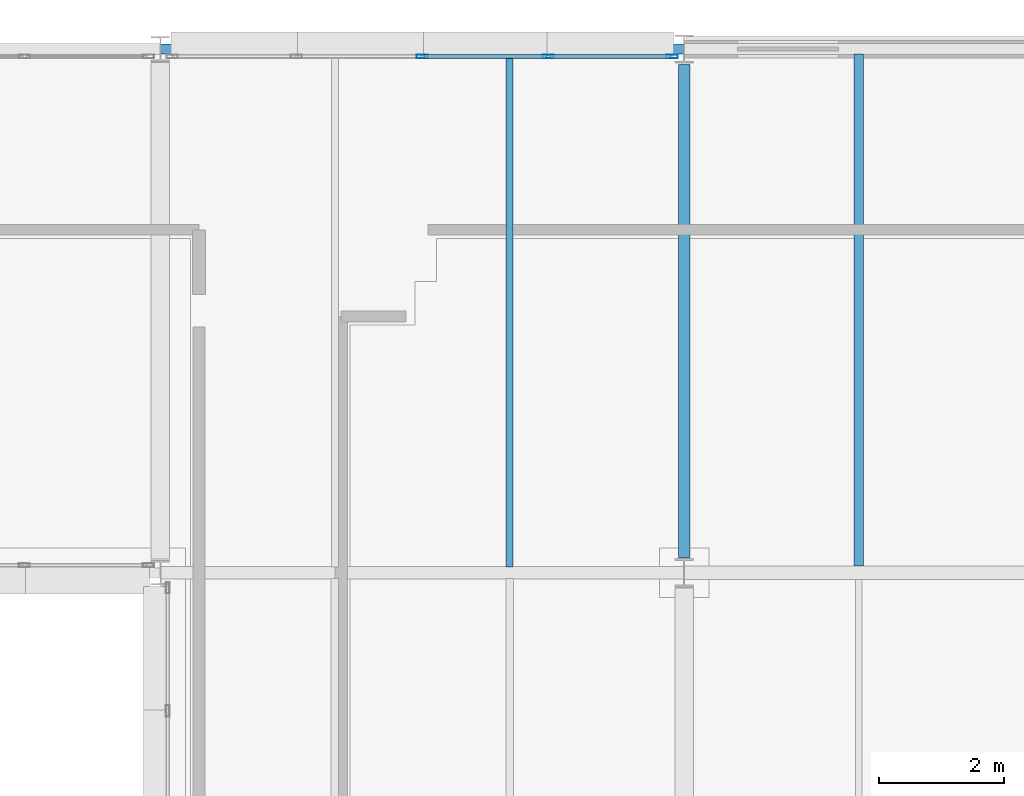
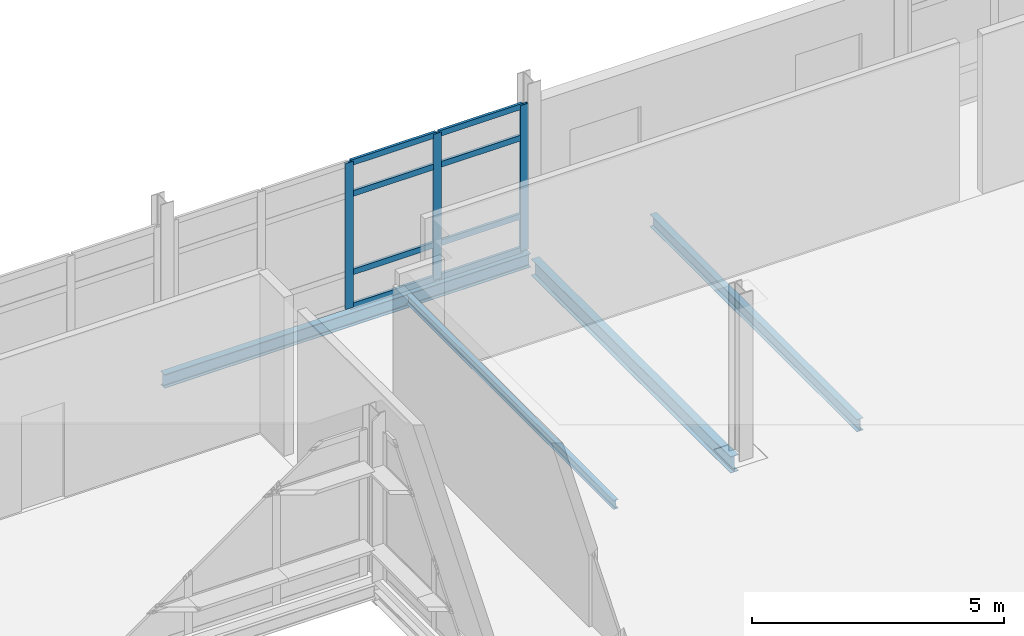
# One storey, part 54 of 103: 11 members, 4 beams, 1 element without a shape of its own.
"""IFC4 building model written with IfcOpenShell, lengths in metres."""

from ifc_helpers import new_model, si_unit, direction, frame, origin, origin_2d, place, context, subcontext, project, spatial, hollow_rectangle, i_section, extrude, material, material_profile, profile_set, type_object, element, aggregate, save


model = new_model("IFC4")

# Units and contexts
model_context = context("Model", 3, precision=1e-05, world=origin(), true_north=direction((0.0, 1.0)))
body_context = subcontext(model_context, "Body", "Model", "MODEL_VIEW")
ifc_project = project(units=[si_unit("LENGTHUNIT", "METRE"), si_unit("AREAUNIT", "SQUARE_METRE"), si_unit("VOLUMEUNIT", "CUBIC_METRE"), si_unit("PLANEANGLEUNIT", "RADIAN"), si_unit("MASSUNIT", "GRAM", prefix="KILO")], contexts=[model_context])

# Site, building, storey
site_placement = place(None, origin())
site = spatial("IfcSite", under=ifc_project, at=site_placement, CompositionType="ELEMENT")
building_placement = place(site_placement, origin())
building = spatial("IfcBuilding", under=site, at=building_placement, Name="Mersafa Astral City Hall", CompositionType="ELEMENT")
storey_placement = place(building_placement, frame((0.0, 0.0, 18.0)))
storey = spatial("IfcBuildingStorey", under=building, at=storey_placement, Name="L04", CompositionType="ELEMENT", Elevation=18.0)

# Curtain wall, members
ifc_material_1 = material(Name="Anodised bronze aluminium framing", Category="aluminium")
curtain_wall_type = type_object("IfcCurtainWallType", Name="ENV-CW-4", PredefinedType="USERDEFINED", material=ifc_material_1)
curtain_wall_placement = place(storey_placement, origin())
curtain_wall = element("IfcCurtainWall", 1, at=curtain_wall_placement, inside=storey, type_object=curtain_wall_type, Name="L04 Unitised solar curtain wall 195", ObjectType="UNITISED CURTAIN WALL", PredefinedType="USERDEFINED")
ifc_material_profile_1 = material_profile(ifc_material_1, hollow_rectangle(XDim=0.06005859375, YDim=0.179931640625, WallThickness=0.00390625, at=origin_2d()), Name="RHS 60x180x4")
ifc_profile_set_1 = profile_set([ifc_material_profile_1], Name="Anodised bronze aluminium framing")
member_type_1 = type_object("IfcMemberType", Name="ENV-CW-MUL-1", PredefinedType="MULLION", material=ifc_profile_set_1)
member_1_placement = place(storey_placement, frame((109.008056640625, 125.8798828125, -0.001953125), z_axis=(0.0, 0.0, 1.0), x_axis=(0.0, -1.0, 0.0)))
member_1 = element("IfcMember", 2, at=member_1_placement, type_object=member_type_1, Name="CW-4 mullion 1", PredefinedType="MULLION", context=body_context, shape_type="SweptSolid", body=[
    extrude(hollow_rectangle(XDim=0.06005859375, YDim=0.179931640625, WallThickness=0.00390625, at=origin_2d()), origin(), (0.0, 0.0, 1.0), 3.5390625),
])
member_2_placement = place(storey_placement, frame((107.01904296875, 125.8798828125, -0.001953125), z_axis=(0.0, 0.0, 1.0), x_axis=(0.0, -1.0, 0.0)))
member_2 = element("IfcMember", 3, at=member_2_placement, type_object=member_type_1, Name="CW-4 mullion 2", PredefinedType="MULLION", context=body_context, shape_type="SweptSolid", body=[
    extrude(hollow_rectangle(XDim=0.06005859375, YDim=0.179931640625, WallThickness=0.00390625, at=origin_2d()), origin(), (0.0, 0.0, 1.0), 3.5390625),
])
member_3_placement = place(storey_placement, frame((105.0, 125.8798828125, -0.001953125), z_axis=(0.0, 0.0, 1.0), x_axis=(0.0, -1.0, 0.0)))
member_3 = element("IfcMember", 4, at=member_3_placement, type_object=member_type_1, Name="CW-4 mullion 3", PredefinedType="MULLION", context=body_context, shape_type="SweptSolid", body=[
    extrude(hollow_rectangle(XDim=0.06005859375, YDim=0.179931640625, WallThickness=0.00390625, at=origin_2d()), origin(), (0.0, 0.0, 1.0), 3.5390625),
])
ifc_material_profile_2 = material_profile(ifc_material_1, hollow_rectangle(XDim=0.06005859375, YDim=0.139892578125, WallThickness=0.00390625, at=origin_2d()), Name="RHS 60x140x4")
ifc_profile_set_2 = profile_set([ifc_material_profile_2], Name="Anodised bronze aluminium framing")
member_type_2 = type_object("IfcMemberType", Name="ENV-CW-TRN-1", PredefinedType="USERDEFINED", material=ifc_profile_set_2)
member_4_placement = place(storey_placement, frame((108.97802734375, 125.8798828125, 0.028076171875), z_axis=(-1.0, 0.0, 0.0), x_axis=(0.0, -1.0, 0.0)))
member_4 = element("IfcMember", 5, at=member_4_placement, type_object=member_type_2, Name="CW-4 transom 1.1", ObjectType="TRANSOM", PredefinedType="USERDEFINED", context=body_context, shape_type="SweptSolid", body=[
    extrude(hollow_rectangle(XDim=0.06005859375, YDim=0.139892578125, WallThickness=0.00390625, at=origin_2d()), origin(), (0.0, 0.0, 1.0), 1.928955078125),
])
member_5_placement = place(storey_placement, frame((108.97802734375, 125.8798828125, 0.85009765625), z_axis=(-1.0, 0.0, 0.0), x_axis=(0.0, -1.0, 0.0)))
member_5 = element("IfcMember", 6, at=member_5_placement, type_object=member_type_2, Name="CW-4 transom 1.2", ObjectType="TRANSOM", PredefinedType="USERDEFINED", context=body_context, shape_type="SweptSolid", body=[
    extrude(hollow_rectangle(XDim=0.06005859375, YDim=0.139892578125, WallThickness=0.00390625, at=origin_2d()), origin(), (0.0, 0.0, 1.0), 1.928955078125),
])
member_6_placement = place(storey_placement, frame((108.97802734375, 125.8798828125, 2.75), z_axis=(-1.0, 0.0, 0.0), x_axis=(0.0, -1.0, 0.0)))
member_6 = element("IfcMember", 7, at=member_6_placement, type_object=member_type_2, Name="CW-4 transom 1.3", ObjectType="TRANSOM", PredefinedType="USERDEFINED", context=body_context, shape_type="SweptSolid", body=[
    extrude(hollow_rectangle(XDim=0.06005859375, YDim=0.139892578125, WallThickness=0.00390625, at=origin_2d()), origin(), (0.0, 0.0, 1.0), 1.928955078125),
])
member_7_placement = place(storey_placement, frame((108.97802734375, 125.8798828125, 3.507080078125), z_axis=(-1.0, 0.0, 0.0), x_axis=(0.0, -1.0, 0.0)))
member_7 = element("IfcMember", 8, at=member_7_placement, type_object=member_type_2, Name="CW-4 transom 1.4", ObjectType="TRANSOM", PredefinedType="USERDEFINED", context=body_context, shape_type="SweptSolid", body=[
    extrude(hollow_rectangle(XDim=0.06005859375, YDim=0.139892578125, WallThickness=0.00390625, at=origin_2d()), origin(), (0.0, 0.0, 1.0), 1.928955078125),
])
member_8_placement = place(storey_placement, frame((106.989013671875, 125.8798828125, 0.028076171875), z_axis=(-1.0, 0.0, 0.0), x_axis=(0.0, -1.0, 0.0)))
member_8 = element("IfcMember", 9, at=member_8_placement, type_object=member_type_2, Name="CW-4 transom 2.1", ObjectType="TRANSOM", PredefinedType="USERDEFINED", context=body_context, shape_type="SweptSolid", body=[
    extrude(hollow_rectangle(XDim=0.06005859375, YDim=0.139892578125, WallThickness=0.00390625, at=origin_2d()), origin(), (0.0, 0.0, 1.0), 1.958984375),
])
member_9_placement = place(storey_placement, frame((106.989013671875, 125.8798828125, 0.85009765625), z_axis=(-1.0, 0.0, 0.0), x_axis=(0.0, -1.0, 0.0)))
member_9 = element("IfcMember", 10, at=member_9_placement, type_object=member_type_2, Name="CW-4 transom 2.2", ObjectType="TRANSOM", PredefinedType="USERDEFINED", context=body_context, shape_type="SweptSolid", body=[
    extrude(hollow_rectangle(XDim=0.06005859375, YDim=0.139892578125, WallThickness=0.00390625, at=origin_2d()), origin(), (0.0, 0.0, 1.0), 1.958984375),
])
member_10_placement = place(storey_placement, frame((106.989013671875, 125.8798828125, 2.75), z_axis=(-1.0, 0.0, 0.0), x_axis=(0.0, -1.0, 0.0)))
member_10 = element("IfcMember", 11, at=member_10_placement, type_object=member_type_2, Name="CW-4 transom 2.3", ObjectType="TRANSOM", PredefinedType="USERDEFINED", context=body_context, shape_type="SweptSolid", body=[
    extrude(hollow_rectangle(XDim=0.06005859375, YDim=0.139892578125, WallThickness=0.00390625, at=origin_2d()), origin(), (0.0, 0.0, 1.0), 1.958984375),
])
member_11_placement = place(storey_placement, frame((106.989013671875, 125.8798828125, 3.507080078125), z_axis=(-1.0, 0.0, 0.0), x_axis=(0.0, -1.0, 0.0)))
member_11 = element("IfcMember", 12, at=member_11_placement, type_object=member_type_2, Name="CW-4 transom 2.4", ObjectType="TRANSOM", PredefinedType="USERDEFINED", context=body_context, shape_type="SweptSolid", body=[
    extrude(hollow_rectangle(XDim=0.06005859375, YDim=0.139892578125, WallThickness=0.00390625, at=origin_2d()), origin(), (0.0, 0.0, 1.0), 1.958984375),
])
aggregate(curtain_wall, [member_1, member_2, member_3, member_4, member_5, member_6, member_7, member_8, member_9, member_10, member_11])

# Beams
ifc_material_2 = material(Name="Steel S355", Category="steel")
ifc_material_profile_3 = material_profile(ifc_material_2, i_section(OverallWidth=0.179931640625, OverallDepth=0.39990234375, WebThickness=0.008544921875, FlangeThickness=0.013427734375, FilletRadius=0.02099609375, at=origin_2d()), Name="IPE 400")
ifc_profile_set_3 = profile_set([ifc_material_profile_3], Name="Steel S355")
beam_type_1 = type_object("IfcBeamType", Name="STR-BM-IPE400", PredefinedType="BEAM", material=ifc_profile_set_3)
beam_1_placement = place(storey_placement, frame((109.199951171875, 117.844970703125, -0.385009765625), z_axis=(0.0, 1.0, 0.0), x_axis=(-1.0, 0.0, 0.0)))
element("IfcBeam", 13, at=beam_1_placement, inside=storey, type_object=beam_type_1, Name="L04 Primary girder Y 13-14", PredefinedType="BEAM", context=body_context, shape_type="SweptSolid", body=[
    extrude(i_section(OverallWidth=0.179931640625, OverallDepth=0.39990234375, WebThickness=0.008544921875, FlangeThickness=0.013427734375, FilletRadius=0.02099609375, at=origin_2d()), origin(), (0.0, 0.0, 1.0), 7.909912109375),
])
ifc_material_profile_4 = material_profile(ifc_material_2, i_section(OverallWidth=0.110107421875, OverallDepth=0.219970703125, WebThickness=0.005859375, FlangeThickness=0.00927734375, FilletRadius=0.011962890625, at=origin_2d()), Name="IPE 220")
ifc_profile_set_4 = profile_set([ifc_material_profile_4], Name="Steel S355")
beam_type_2 = type_object("IfcBeamType", Name="STR-BM-JOIST-IPE220", PredefinedType="JOIST", material=ifc_profile_set_4)
beam_2_placement = place(storey_placement, frame((106.39990234375, 117.695068359375, -0.294921875), z_axis=(0.0, 1.0, 0.0), x_axis=(-1.0, 0.0, 0.0)))
element("IfcBeam", 14, at=beam_2_placement, inside=storey, type_object=beam_type_2, Name="L04 Composite secondary floor joist 731", PredefinedType="JOIST", context=body_context, shape_type="SweptSolid", body=[
    extrude(i_section(OverallWidth=0.110107421875, OverallDepth=0.219970703125, WebThickness=0.005859375, FlangeThickness=0.00927734375, FilletRadius=0.011962890625, at=origin_2d()), origin(), (0.0, 0.0, 1.0), 8.22998046875),
])
ifc_material_profile_5 = material_profile(ifc_material_2, i_section(OverallWidth=0.14990234375, OverallDepth=0.300048828125, WebThickness=0.007080078125, FlangeThickness=0.0107421875, FilletRadius=0.014892578125, at=origin_2d()), Name="IPE 300")
ifc_profile_set_5 = profile_set([ifc_material_profile_5], Name="Steel S355")
beam_type_3 = type_object("IfcBeamType", Name="STR-BM-JOIST-IPE300", PredefinedType="JOIST", material=ifc_profile_set_5)
beam_3_placement = place(storey_placement, frame((112.0, 117.705078125, -0.3349609375), z_axis=(0.0, 1.0, 0.0), x_axis=(-1.0, 0.0, 0.0)))
element("IfcBeam", 15, at=beam_3_placement, inside=storey, type_object=beam_type_3, Name="L04 Composite secondary floor joist 744", PredefinedType="JOIST", context=body_context, shape_type="SweptSolid", body=[
    extrude(i_section(OverallWidth=0.14990234375, OverallDepth=0.300048828125, WebThickness=0.007080078125, FlangeThickness=0.0107421875, FilletRadius=0.014892578125, at=origin_2d()), origin(), (0.0, 0.0, 1.0), 8.21484375),
])
ifc_material_profile_6 = material_profile(ifc_material_2, i_section(OverallWidth=0.159912109375, OverallDepth=0.330078125, WebThickness=0.007568359375, FlangeThickness=0.011474609375, FilletRadius=0.01806640625, at=origin_2d()), Name="IPE 330")
ifc_profile_set_6 = profile_set([ifc_material_profile_6], Name="Steel S355")
beam_type_4 = type_object("IfcBeamType", Name="STR-BM-SPANDREL-IPE330", PredefinedType="SPANDREL", material=ifc_profile_set_6)
beam_4_placement = place(storey_placement, frame((100.802978515625, 126.0, -0.35009765625), z_axis=(1.0, 0.0, 0.0), x_axis=(0.0, 1.0, 0.0)))
element("IfcBeam", 16, at=beam_4_placement, inside=storey, type_object=beam_type_4, Name="L04 Primary girder X 12-15", PredefinedType="SPANDREL", context=body_context, shape_type="SweptSolid", body=[
    extrude(i_section(OverallWidth=0.159912109375, OverallDepth=0.330078125, WebThickness=0.007568359375, FlangeThickness=0.011474609375, FilletRadius=0.01806640625, at=origin_2d()), origin(), (0.0, 0.0, 1.0), 8.39404296875),
])

save(model, "model.ifc")
